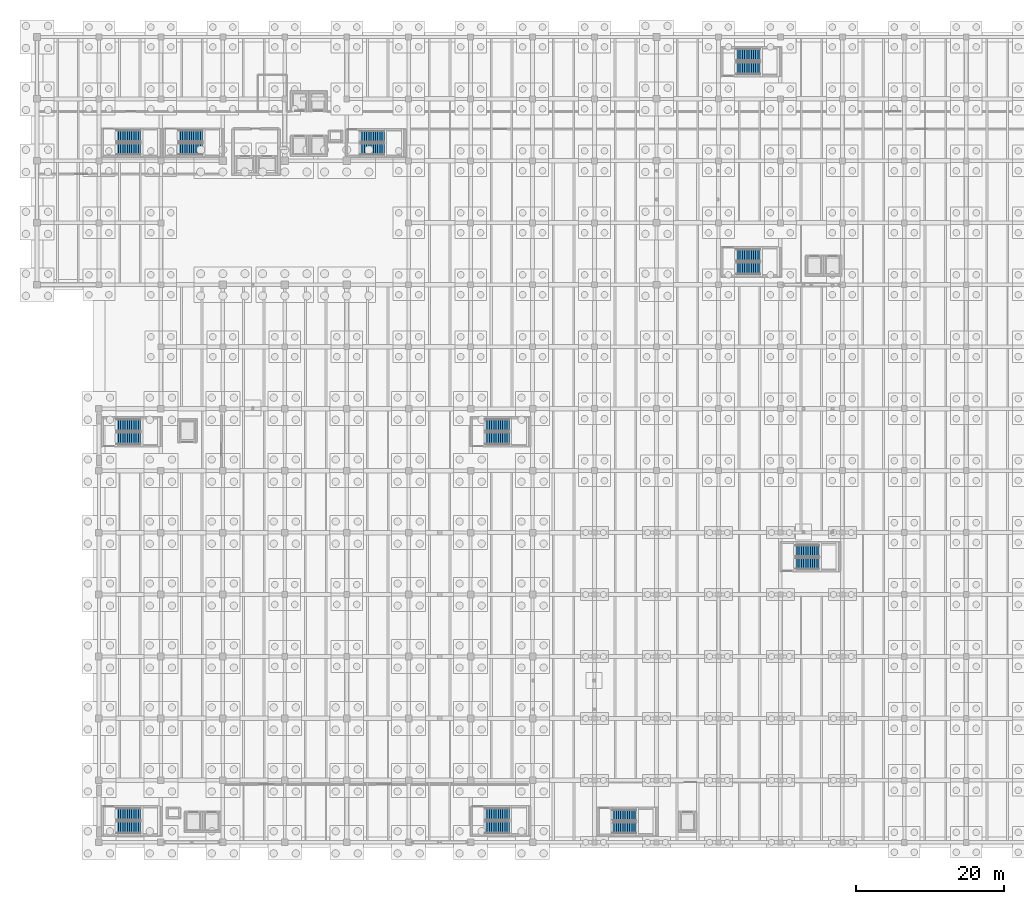
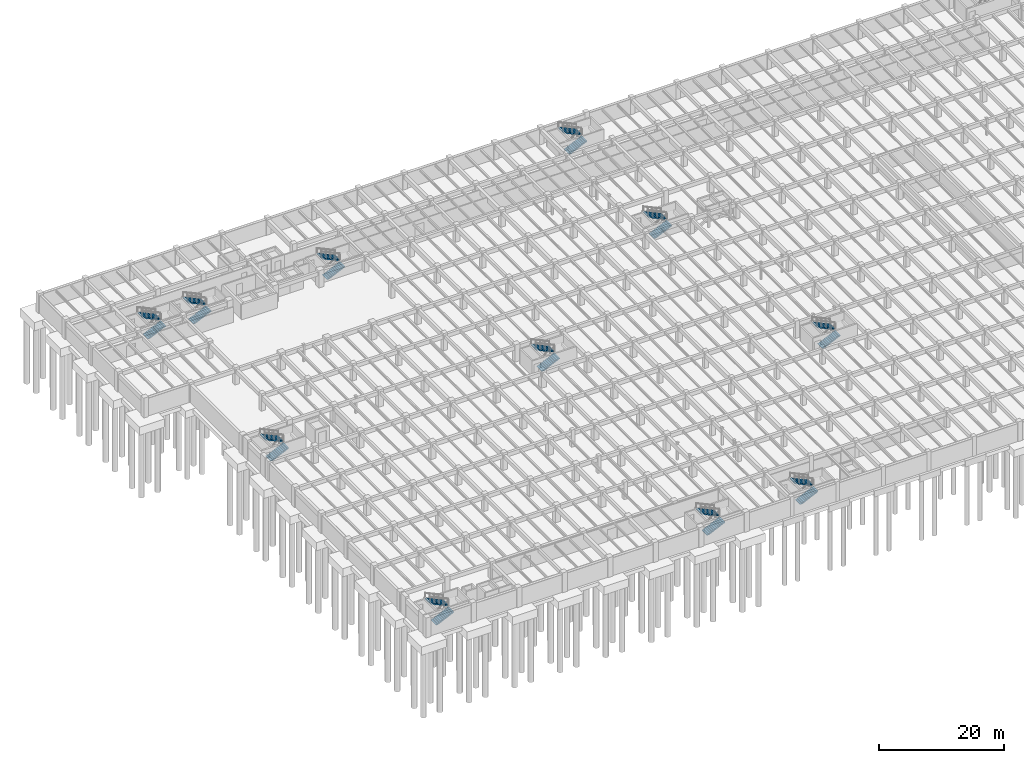
# One storey, part 53 of 70: 22 stair flights, 11 elements without a shape of their own.
"""IFC4 building model written with IfcOpenShell, lengths in metres."""

from ifc_helpers import new_model, si_unit, direction, frame, origin, place, context, subcontext, project, spatial, polyline, outline, extrude, material, type_object, element, aggregate, save


model = new_model("IFC4")

# Units and contexts
model_context = context("Model", 3, precision=1e-05, world=origin(), true_north=direction((0.0, 1.0)))
body_context = subcontext(model_context, "Body", "Model", "MODEL_VIEW")
ifc_project = project(units=[si_unit("LENGTHUNIT", "METRE"), si_unit("AREAUNIT", "SQUARE_METRE"), si_unit("VOLUMEUNIT", "CUBIC_METRE"), si_unit("PLANEANGLEUNIT", "RADIAN"), si_unit("MASSUNIT", "GRAM", prefix="KILO")], contexts=[model_context])

# Site, building, storey
site_placement = place(None, origin())
site = spatial("IfcSite", under=ifc_project, at=site_placement, CompositionType="ELEMENT")
building_placement = place(site_placement, origin())
building = spatial("IfcBuilding", under=site, at=building_placement, Name="Cumbredor Promenade Congress Hotel", CompositionType="ELEMENT")
storey_placement = place(building_placement, frame((0.0, 0.0, -7.56005859375)))
storey = spatial("IfcBuildingStorey", under=building, at=storey_placement, Name="B02", CompositionType="ELEMENT", Elevation=-7.56005859375)

# Stair, stair flights
ifc_material = material(Name="Concrete C40/50", Category="concrete")
stair_type_1 = type_object("IfcStairType", Name="Protected Dog-Leg Exit Stair ST-T1 1550mm", PredefinedType="HALF_TURN_STAIR", material=ifc_material)
stair_1_placement = place(storey_placement, origin())
stair_1 = element("IfcStair", 1, at=stair_1_placement, inside=storey, type_object=stair_type_1, Name="B02 Protected Exit Stair ST-03", PredefinedType="HALF_TURN_STAIR")
stair_flight_type_1 = type_object("IfcStairFlightType", Name="Concrete Stair Flight SFL-T1 1550mm", PredefinedType="STRAIGHT", material=ifc_material)
stair_flight_1_placement = place(storey_placement, frame((43.800048828125, 102.39501953125, 0.0), z_axis=(0.0, 0.0, 1.0), x_axis=(1.0, 0.0, 0.0)))
stair_flight_1 = element("IfcStairFlight", 2, at=stair_flight_1_placement, type_object=stair_flight_type_1, Name="ST-03 flight 1", NumberOfRisers=12, NumberOfTreads=11, PredefinedType="STRAIGHT", RiserHeight=0.14, TreadLength=0.3, context=body_context, shape_type="SweptSolid", body=[
    extrude(outline(polyline([(0.0, 0.0), (0.0, 0.139892578125), (0.300048828125, 0.139892578125), (0.300048828125, 0.280029296875), (0.60009765625, 0.280029296875), (0.60009765625, 0.419921875), (0.89990234375, 0.419921875), (0.89990234375, 0.56005859375), (1.199951171875, 0.56005859375), (1.199951171875, 0.699951171875), (1.5, 0.699951171875), (1.5, 0.840087890625), (1.800048828125, 0.840087890625), (1.800048828125, 0.97998046875), (2.10009765625, 0.97998046875), (2.10009765625, 1.1201171875), (2.39990234375, 1.1201171875), (2.39990234375, 1.260009765625), (2.699951171875, 1.260009765625), (2.699951171875, 1.39990234375), (3.0, 1.39990234375), (3.0, 1.5400390625), (3.300048828125, 1.5400390625), (3.300048828125, 1.679931640625), (3.300048828125, 1.341552734375), (0.425537109375, 0.0), (0.0, 0.0)])), frame((0.0, 0.77490234375, 0.0), z_axis=(0.0, -1.0, 0.0), x_axis=(1.0, 0.0, 0.0)), (0.0, 0.0, 1.0), 1.550048828125),
])
stair_flight_2_placement = place(storey_placement, frame((47.10009765625, 104.094970703125, 1.68017578125), z_axis=(0.0, 0.0, 1.0), x_axis=(-1.0, 0.0, 0.0)))
stair_flight_2 = element("IfcStairFlight", 3, at=stair_flight_2_placement, type_object=stair_flight_type_1, Name="ST-03 flight 2", NumberOfRisers=12, NumberOfTreads=11, PredefinedType="STRAIGHT", RiserHeight=0.14, TreadLength=0.3, context=body_context, shape_type="SweptSolid", body=[
    extrude(outline(polyline([(0.0, 0.0), (0.0, 0.139892578125), (0.300048828125, 0.139892578125), (0.300048828125, 0.280029296875), (0.60009765625, 0.280029296875), (0.60009765625, 0.419921875), (0.89990234375, 0.419921875), (0.89990234375, 0.56005859375), (1.199951171875, 0.56005859375), (1.199951171875, 0.699951171875), (1.5, 0.699951171875), (1.5, 0.840087890625), (1.800048828125, 0.840087890625), (1.800048828125, 0.97998046875), (2.10009765625, 0.97998046875), (2.10009765625, 1.1201171875), (2.39990234375, 1.1201171875), (2.39990234375, 1.260009765625), (2.699951171875, 1.260009765625), (2.699951171875, 1.39990234375), (3.0, 1.39990234375), (3.0, 1.5400390625), (3.300048828125, 1.5400390625), (3.300048828125, 1.679931640625), (3.300048828125, 1.341552734375), (0.425537109375, 0.0), (0.0, 0.0)])), frame((0.0, 0.77490234375, 0.0), z_axis=(0.0, -1.0, 0.0), x_axis=(1.0, 0.0, 0.0)), (0.0, 0.0, 1.0), 1.550048828125),
])
aggregate(stair_1, [stair_flight_1, stair_flight_2])

stair_2_placement = place(storey_placement, origin())
stair_2 = element("IfcStair", 4, at=stair_2_placement, inside=storey, type_object=stair_type_1, Name="B02 Protected Exit Stair ST-11", PredefinedType="HALF_TURN_STAIR")
stair_flight_3_placement = place(storey_placement, frame((77.949951171875, 10.375, 0.0), z_axis=(0.0, 0.0, 1.0), x_axis=(1.0, 0.0, 0.0)))
stair_flight_3 = element("IfcStairFlight", 5, at=stair_flight_3_placement, type_object=stair_flight_type_1, Name="ST-11 flight 1", NumberOfRisers=12, NumberOfTreads=11, PredefinedType="STRAIGHT", RiserHeight=0.14, TreadLength=0.3, context=body_context, shape_type="SweptSolid", body=[
    extrude(outline(polyline([(0.0, 0.0), (0.0, 0.139892578125), (0.300048828125, 0.139892578125), (0.300048828125, 0.280029296875), (0.60009765625, 0.280029296875), (0.60009765625, 0.419921875), (0.89990234375, 0.419921875), (0.89990234375, 0.56005859375), (1.199951171875, 0.56005859375), (1.199951171875, 0.699951171875), (1.5, 0.699951171875), (1.5, 0.840087890625), (1.800048828125, 0.840087890625), (1.800048828125, 0.97998046875), (2.10009765625, 0.97998046875), (2.10009765625, 1.1201171875), (2.39990234375, 1.1201171875), (2.39990234375, 1.260009765625), (2.699951171875, 1.260009765625), (2.699951171875, 1.39990234375), (3.0, 1.39990234375), (3.0, 1.5400390625), (3.300048828125, 1.5400390625), (3.300048828125, 1.679931640625), (3.300048828125, 1.341552734375), (0.425537109375, 0.0), (0.0, 0.0)])), frame((0.0, 0.77490234375, 0.0), z_axis=(0.0, -1.0, 0.0), x_axis=(1.0, 0.0, 0.0)), (0.0, 0.0, 1.0), 1.550048828125),
])
stair_flight_4_placement = place(storey_placement, frame((81.25, 12.074951171875, 1.68017578125), z_axis=(0.0, 0.0, 1.0), x_axis=(-1.0, 0.0, 0.0)))
stair_flight_4 = element("IfcStairFlight", 6, at=stair_flight_4_placement, type_object=stair_flight_type_1, Name="ST-11 flight 2", NumberOfRisers=12, NumberOfTreads=11, PredefinedType="STRAIGHT", RiserHeight=0.14, TreadLength=0.3, context=body_context, shape_type="SweptSolid", body=[
    extrude(outline(polyline([(0.0, 0.0), (0.0, 0.139892578125), (0.300048828125, 0.139892578125), (0.300048828125, 0.280029296875), (0.60009765625, 0.280029296875), (0.60009765625, 0.419921875), (0.89990234375, 0.419921875), (0.89990234375, 0.56005859375), (1.199951171875, 0.56005859375), (1.199951171875, 0.699951171875), (1.5, 0.699951171875), (1.5, 0.840087890625), (1.800048828125, 0.840087890625), (1.800048828125, 0.97998046875), (2.10009765625, 0.97998046875), (2.10009765625, 1.1201171875), (2.39990234375, 1.1201171875), (2.39990234375, 1.260009765625), (2.699951171875, 1.260009765625), (2.699951171875, 1.39990234375), (3.0, 1.39990234375), (3.0, 1.5400390625), (3.300048828125, 1.5400390625), (3.300048828125, 1.679931640625), (3.300048828125, 1.341552734375), (0.425537109375, 0.0), (0.0, 0.0)])), frame((0.0, 0.77490234375, 0.0), z_axis=(0.0, -1.0, 0.0), x_axis=(1.0, 0.0, 0.0)), (0.0, 0.0, 1.0), 1.550048828125),
])
aggregate(stair_2, [stair_flight_3, stair_flight_4])

stair_3_placement = place(storey_placement, origin())
stair_3 = element("IfcStair", 7, at=stair_3_placement, inside=storey, type_object=stair_type_1, Name="B02 Protected Exit Stair ST-12", PredefinedType="HALF_TURN_STAIR")
stair_flight_5_placement = place(storey_placement, frame((102.75, 46.22509765625, 0.0), z_axis=(0.0, 0.0, 1.0), x_axis=(1.0, 0.0, 0.0)))
stair_flight_5 = element("IfcStairFlight", 8, at=stair_flight_5_placement, type_object=stair_flight_type_1, Name="ST-12 flight 1", NumberOfRisers=12, NumberOfTreads=11, PredefinedType="STRAIGHT", RiserHeight=0.14, TreadLength=0.3, context=body_context, shape_type="SweptSolid", body=[
    extrude(outline(polyline([(0.0, 0.0), (0.0, 0.139892578125), (0.300048828125, 0.139892578125), (0.300048828125, 0.280029296875), (0.60009765625, 0.280029296875), (0.60009765625, 0.419921875), (0.89990234375, 0.419921875), (0.89990234375, 0.56005859375), (1.199951171875, 0.56005859375), (1.199951171875, 0.699951171875), (1.5, 0.699951171875), (1.5, 0.840087890625), (1.800048828125, 0.840087890625), (1.800048828125, 0.97998046875), (2.10009765625, 0.97998046875), (2.10009765625, 1.1201171875), (2.39990234375, 1.1201171875), (2.39990234375, 1.260009765625), (2.699951171875, 1.260009765625), (2.699951171875, 1.39990234375), (3.0, 1.39990234375), (3.0, 1.5400390625), (3.300048828125, 1.5400390625), (3.300048828125, 1.679931640625), (3.300048828125, 1.341552734375), (0.425537109375, 0.0), (0.0, 0.0)])), frame((0.0, 0.77490234375, 0.0), z_axis=(0.0, -1.0, 0.0), x_axis=(1.0, 0.0, 0.0)), (0.0, 0.0, 1.0), 1.550048828125),
])
stair_flight_6_placement = place(storey_placement, frame((106.050048828125, 47.925048828125, 1.68017578125), z_axis=(0.0, 0.0, 1.0), x_axis=(-1.0, 0.0, 0.0)))
stair_flight_6 = element("IfcStairFlight", 9, at=stair_flight_6_placement, type_object=stair_flight_type_1, Name="ST-12 flight 2", NumberOfRisers=12, NumberOfTreads=11, PredefinedType="STRAIGHT", RiserHeight=0.14, TreadLength=0.3, context=body_context, shape_type="SweptSolid", body=[
    extrude(outline(polyline([(0.0, 0.0), (0.0, 0.139892578125), (0.300048828125, 0.139892578125), (0.300048828125, 0.280029296875), (0.60009765625, 0.280029296875), (0.60009765625, 0.419921875), (0.89990234375, 0.419921875), (0.89990234375, 0.56005859375), (1.199951171875, 0.56005859375), (1.199951171875, 0.699951171875), (1.5, 0.699951171875), (1.5, 0.840087890625), (1.800048828125, 0.840087890625), (1.800048828125, 0.97998046875), (2.10009765625, 0.97998046875), (2.10009765625, 1.1201171875), (2.39990234375, 1.1201171875), (2.39990234375, 1.260009765625), (2.699951171875, 1.260009765625), (2.699951171875, 1.39990234375), (3.0, 1.39990234375), (3.0, 1.5400390625), (3.300048828125, 1.5400390625), (3.300048828125, 1.679931640625), (3.300048828125, 1.341552734375), (0.425537109375, 0.0), (0.0, 0.0)])), frame((0.0, 0.77490234375, 0.0), z_axis=(0.0, -1.0, 0.0), x_axis=(1.0, 0.0, 0.0)), (0.0, 0.0, 1.0), 1.550048828125),
])
aggregate(stair_3, [stair_flight_5, stair_flight_6])

stair_type_2 = type_object("IfcStairType", Name="Protected Dog-Leg Exit Stair ST-T2 1600mm", PredefinedType="HALF_TURN_STAIR", material=ifc_material)
stair_4_placement = place(storey_placement, origin())
stair_4 = element("IfcStair", 10, at=stair_4_placement, inside=storey, type_object=stair_type_2, Name="B02 Protected Exit Stair ST-01", PredefinedType="HALF_TURN_STAIR")
stair_flight_type_2 = type_object("IfcStairFlightType", Name="Concrete Stair Flight SFL-T2 1600mm", PredefinedType="STRAIGHT", material=ifc_material)
stair_flight_7_placement = place(storey_placement, frame((10.75, 102.419921875, 0.0), z_axis=(0.0, 0.0, 1.0), x_axis=(1.0, 0.0, 0.0)))
stair_flight_7 = element("IfcStairFlight", 11, at=stair_flight_7_placement, type_object=stair_flight_type_2, Name="ST-01 flight 1", NumberOfRisers=12, NumberOfTreads=11, PredefinedType="STRAIGHT", RiserHeight=0.14, TreadLength=0.3, context=body_context, shape_type="SweptSolid", body=[
    extrude(outline(polyline([(0.0, 0.0), (0.0, 0.139892578125), (0.300048828125, 0.139892578125), (0.300048828125, 0.280029296875), (0.60009765625, 0.280029296875), (0.60009765625, 0.419921875), (0.89990234375, 0.419921875), (0.89990234375, 0.56005859375), (1.199951171875, 0.56005859375), (1.199951171875, 0.699951171875), (1.5, 0.699951171875), (1.5, 0.840087890625), (1.800048828125, 0.840087890625), (1.800048828125, 0.97998046875), (2.10009765625, 0.97998046875), (2.10009765625, 1.1201171875), (2.39990234375, 1.1201171875), (2.39990234375, 1.260009765625), (2.699951171875, 1.260009765625), (2.699951171875, 1.39990234375), (3.0, 1.39990234375), (3.0, 1.5400390625), (3.300048828125, 1.5400390625), (3.300048828125, 1.679931640625), (3.300048828125, 1.341552734375), (0.425537109375, 0.0), (0.0, 0.0)])), frame((0.0, 0.800048828125, 0.0), z_axis=(0.0, -1.0, 0.0), x_axis=(1.0, 0.0, 0.0)), (0.0, 0.0, 1.0), 1.60009765625),
])
stair_flight_8_placement = place(storey_placement, frame((14.050048828125, 104.169921875, 1.68017578125), z_axis=(0.0, 0.0, 1.0), x_axis=(-1.0, 0.0, 0.0)))
stair_flight_8 = element("IfcStairFlight", 12, at=stair_flight_8_placement, type_object=stair_flight_type_2, Name="ST-01 flight 2", NumberOfRisers=12, NumberOfTreads=11, PredefinedType="STRAIGHT", RiserHeight=0.14, TreadLength=0.3, context=body_context, shape_type="SweptSolid", body=[
    extrude(outline(polyline([(0.0, 0.0), (0.0, 0.139892578125), (0.300048828125, 0.139892578125), (0.300048828125, 0.280029296875), (0.60009765625, 0.280029296875), (0.60009765625, 0.419921875), (0.89990234375, 0.419921875), (0.89990234375, 0.56005859375), (1.199951171875, 0.56005859375), (1.199951171875, 0.699951171875), (1.5, 0.699951171875), (1.5, 0.840087890625), (1.800048828125, 0.840087890625), (1.800048828125, 0.97998046875), (2.10009765625, 0.97998046875), (2.10009765625, 1.1201171875), (2.39990234375, 1.1201171875), (2.39990234375, 1.260009765625), (2.699951171875, 1.260009765625), (2.699951171875, 1.39990234375), (3.0, 1.39990234375), (3.0, 1.5400390625), (3.300048828125, 1.5400390625), (3.300048828125, 1.679931640625), (3.300048828125, 1.341552734375), (0.425537109375, 0.0), (0.0, 0.0)])), frame((0.0, 0.800048828125, 0.0), z_axis=(0.0, -1.0, 0.0), x_axis=(1.0, 0.0, 0.0)), (0.0, 0.0, 1.0), 1.60009765625),
])
aggregate(stair_4, [stair_flight_7, stair_flight_8])

stair_5_placement = place(storey_placement, origin())
stair_5 = element("IfcStair", 13, at=stair_5_placement, inside=storey, type_object=stair_type_2, Name="B02 Protected Exit Stair ST-02", PredefinedType="HALF_TURN_STAIR")
stair_flight_9_placement = place(storey_placement, frame((19.14990234375, 102.419921875, 0.0), z_axis=(0.0, 0.0, 1.0), x_axis=(1.0, 0.0, 0.0)))
stair_flight_9 = element("IfcStairFlight", 14, at=stair_flight_9_placement, type_object=stair_flight_type_2, Name="ST-02 flight 1", NumberOfRisers=12, NumberOfTreads=11, PredefinedType="STRAIGHT", RiserHeight=0.14, TreadLength=0.3, context=body_context, shape_type="SweptSolid", body=[
    extrude(outline(polyline([(0.0, 0.0), (0.0, 0.139892578125), (0.300048828125, 0.139892578125), (0.300048828125, 0.280029296875), (0.60009765625, 0.280029296875), (0.60009765625, 0.419921875), (0.89990234375, 0.419921875), (0.89990234375, 0.56005859375), (1.199951171875, 0.56005859375), (1.199951171875, 0.699951171875), (1.5, 0.699951171875), (1.5, 0.840087890625), (1.800048828125, 0.840087890625), (1.800048828125, 0.97998046875), (2.10009765625, 0.97998046875), (2.10009765625, 1.1201171875), (2.39990234375, 1.1201171875), (2.39990234375, 1.260009765625), (2.699951171875, 1.260009765625), (2.699951171875, 1.39990234375), (3.0, 1.39990234375), (3.0, 1.5400390625), (3.300048828125, 1.5400390625), (3.300048828125, 1.679931640625), (3.300048828125, 1.341552734375), (0.425537109375, 0.0), (0.0, 0.0)])), frame((0.0, 0.800048828125, 0.0), z_axis=(0.0, -1.0, 0.0), x_axis=(1.0, 0.0, 0.0)), (0.0, 0.0, 1.0), 1.60009765625),
])
stair_flight_10_placement = place(storey_placement, frame((22.449951171875, 104.169921875, 1.68017578125), z_axis=(0.0, 0.0, 1.0), x_axis=(-1.0, 0.0, 0.0)))
stair_flight_10 = element("IfcStairFlight", 15, at=stair_flight_10_placement, type_object=stair_flight_type_2, Name="ST-02 flight 2", NumberOfRisers=12, NumberOfTreads=11, PredefinedType="STRAIGHT", RiserHeight=0.14, TreadLength=0.3, context=body_context, shape_type="SweptSolid", body=[
    extrude(outline(polyline([(0.0, 0.0), (0.0, 0.139892578125), (0.300048828125, 0.139892578125), (0.300048828125, 0.280029296875), (0.60009765625, 0.280029296875), (0.60009765625, 0.419921875), (0.89990234375, 0.419921875), (0.89990234375, 0.56005859375), (1.199951171875, 0.56005859375), (1.199951171875, 0.699951171875), (1.5, 0.699951171875), (1.5, 0.840087890625), (1.800048828125, 0.840087890625), (1.800048828125, 0.97998046875), (2.10009765625, 0.97998046875), (2.10009765625, 1.1201171875), (2.39990234375, 1.1201171875), (2.39990234375, 1.260009765625), (2.699951171875, 1.260009765625), (2.699951171875, 1.39990234375), (3.0, 1.39990234375), (3.0, 1.5400390625), (3.300048828125, 1.5400390625), (3.300048828125, 1.679931640625), (3.300048828125, 1.341552734375), (0.425537109375, 0.0), (0.0, 0.0)])), frame((0.0, 0.800048828125, 0.0), z_axis=(0.0, -1.0, 0.0), x_axis=(1.0, 0.0, 0.0)), (0.0, 0.0, 1.0), 1.60009765625),
])
aggregate(stair_5, [stair_flight_9, stair_flight_10])

stair_type_3 = type_object("IfcStairType", Name="Protected Dog-Leg Exit Stair ST-T3 1650mm", PredefinedType="HALF_TURN_STAIR", material=ifc_material)
stair_6_placement = place(storey_placement, origin())
stair_6 = element("IfcStair", 16, at=stair_6_placement, inside=storey, type_object=stair_type_3, Name="B02 Protected Exit Stair ST-04", PredefinedType="HALF_TURN_STAIR")
stair_flight_type_3 = type_object("IfcStairFlightType", Name="Concrete Stair Flight SFL-T3 1650mm", PredefinedType="STRAIGHT", material=ifc_material)
stair_flight_11_placement = place(storey_placement, frame((10.75, 10.425048828125, 0.0), z_axis=(0.0, 0.0, 1.0), x_axis=(1.0, 0.0, 0.0)))
stair_flight_11 = element("IfcStairFlight", 17, at=stair_flight_11_placement, type_object=stair_flight_type_3, Name="ST-04 flight 1", NumberOfRisers=12, NumberOfTreads=11, PredefinedType="STRAIGHT", RiserHeight=0.14, TreadLength=0.3, context=body_context, shape_type="SweptSolid", body=[
    extrude(outline(polyline([(0.0, 0.0), (0.0, 0.139892578125), (0.300048828125, 0.139892578125), (0.300048828125, 0.280029296875), (0.60009765625, 0.280029296875), (0.60009765625, 0.419921875), (0.89990234375, 0.419921875), (0.89990234375, 0.56005859375), (1.199951171875, 0.56005859375), (1.199951171875, 0.699951171875), (1.5, 0.699951171875), (1.5, 0.840087890625), (1.800048828125, 0.840087890625), (1.800048828125, 0.97998046875), (2.10009765625, 0.97998046875), (2.10009765625, 1.1201171875), (2.39990234375, 1.1201171875), (2.39990234375, 1.260009765625), (2.699951171875, 1.260009765625), (2.699951171875, 1.39990234375), (3.0, 1.39990234375), (3.0, 1.5400390625), (3.300048828125, 1.5400390625), (3.300048828125, 1.679931640625), (3.300048828125, 1.341552734375), (0.425537109375, 0.0), (0.0, 0.0)])), frame((0.0, 0.824951171875, 0.0), z_axis=(0.0, -1.0, 0.0), x_axis=(1.0, 0.0, 0.0)), (0.0, 0.0, 1.0), 1.64990234375),
])
stair_flight_12_placement = place(storey_placement, frame((14.050048828125, 12.22509765625, 1.68017578125), z_axis=(0.0, 0.0, 1.0), x_axis=(-1.0, 0.0, 0.0)))
stair_flight_12 = element("IfcStairFlight", 18, at=stair_flight_12_placement, type_object=stair_flight_type_3, Name="ST-04 flight 2", NumberOfRisers=12, NumberOfTreads=11, PredefinedType="STRAIGHT", RiserHeight=0.14, TreadLength=0.3, context=body_context, shape_type="SweptSolid", body=[
    extrude(outline(polyline([(0.0, 0.0), (0.0, 0.139892578125), (0.300048828125, 0.139892578125), (0.300048828125, 0.280029296875), (0.60009765625, 0.280029296875), (0.60009765625, 0.419921875), (0.89990234375, 0.419921875), (0.89990234375, 0.56005859375), (1.199951171875, 0.56005859375), (1.199951171875, 0.699951171875), (1.5, 0.699951171875), (1.5, 0.840087890625), (1.800048828125, 0.840087890625), (1.800048828125, 0.97998046875), (2.10009765625, 0.97998046875), (2.10009765625, 1.1201171875), (2.39990234375, 1.1201171875), (2.39990234375, 1.260009765625), (2.699951171875, 1.260009765625), (2.699951171875, 1.39990234375), (3.0, 1.39990234375), (3.0, 1.5400390625), (3.300048828125, 1.5400390625), (3.300048828125, 1.679931640625), (3.300048828125, 1.341552734375), (0.425537109375, 0.0), (0.0, 0.0)])), frame((0.0, 0.824951171875, 0.0), z_axis=(0.0, -1.0, 0.0), x_axis=(1.0, 0.0, 0.0)), (0.0, 0.0, 1.0), 1.64990234375),
])
aggregate(stair_6, [stair_flight_11, stair_flight_12])

stair_7_placement = place(storey_placement, origin())
stair_7 = element("IfcStair", 19, at=stair_7_placement, inside=storey, type_object=stair_type_3, Name="B02 Protected Exit Stair ST-05", PredefinedType="HALF_TURN_STAIR")
stair_flight_13_placement = place(storey_placement, frame((60.75, 10.425048828125, 0.0), z_axis=(0.0, 0.0, 1.0), x_axis=(1.0, 0.0, 0.0)))
stair_flight_13 = element("IfcStairFlight", 20, at=stair_flight_13_placement, type_object=stair_flight_type_3, Name="ST-05 flight 1", NumberOfRisers=12, NumberOfTreads=11, PredefinedType="STRAIGHT", RiserHeight=0.14, TreadLength=0.3, context=body_context, shape_type="SweptSolid", body=[
    extrude(outline(polyline([(0.0, 0.0), (0.0, 0.139892578125), (0.300048828125, 0.139892578125), (0.300048828125, 0.280029296875), (0.60009765625, 0.280029296875), (0.60009765625, 0.419921875), (0.89990234375, 0.419921875), (0.89990234375, 0.56005859375), (1.199951171875, 0.56005859375), (1.199951171875, 0.699951171875), (1.5, 0.699951171875), (1.5, 0.840087890625), (1.800048828125, 0.840087890625), (1.800048828125, 0.97998046875), (2.10009765625, 0.97998046875), (2.10009765625, 1.1201171875), (2.39990234375, 1.1201171875), (2.39990234375, 1.260009765625), (2.699951171875, 1.260009765625), (2.699951171875, 1.39990234375), (3.0, 1.39990234375), (3.0, 1.5400390625), (3.300048828125, 1.5400390625), (3.300048828125, 1.679931640625), (3.300048828125, 1.341552734375), (0.425537109375, 0.0), (0.0, 0.0)])), frame((0.0, 0.824951171875, 0.0), z_axis=(0.0, -1.0, 0.0), x_axis=(1.0, 0.0, 0.0)), (0.0, 0.0, 1.0), 1.64990234375),
])
stair_flight_14_placement = place(storey_placement, frame((64.050048828125, 12.22509765625, 1.68017578125), z_axis=(0.0, 0.0, 1.0), x_axis=(-1.0, 0.0, 0.0)))
stair_flight_14 = element("IfcStairFlight", 21, at=stair_flight_14_placement, type_object=stair_flight_type_3, Name="ST-05 flight 2", NumberOfRisers=12, NumberOfTreads=11, PredefinedType="STRAIGHT", RiserHeight=0.14, TreadLength=0.3, context=body_context, shape_type="SweptSolid", body=[
    extrude(outline(polyline([(0.0, 0.0), (0.0, 0.139892578125), (0.300048828125, 0.139892578125), (0.300048828125, 0.280029296875), (0.60009765625, 0.280029296875), (0.60009765625, 0.419921875), (0.89990234375, 0.419921875), (0.89990234375, 0.56005859375), (1.199951171875, 0.56005859375), (1.199951171875, 0.699951171875), (1.5, 0.699951171875), (1.5, 0.840087890625), (1.800048828125, 0.840087890625), (1.800048828125, 0.97998046875), (2.10009765625, 0.97998046875), (2.10009765625, 1.1201171875), (2.39990234375, 1.1201171875), (2.39990234375, 1.260009765625), (2.699951171875, 1.260009765625), (2.699951171875, 1.39990234375), (3.0, 1.39990234375), (3.0, 1.5400390625), (3.300048828125, 1.5400390625), (3.300048828125, 1.679931640625), (3.300048828125, 1.341552734375), (0.425537109375, 0.0), (0.0, 0.0)])), frame((0.0, 0.824951171875, 0.0), z_axis=(0.0, -1.0, 0.0), x_axis=(1.0, 0.0, 0.0)), (0.0, 0.0, 1.0), 1.64990234375),
])
aggregate(stair_7, [stair_flight_13, stair_flight_14])

stair_8_placement = place(storey_placement, origin())
stair_8 = element("IfcStair", 22, at=stair_8_placement, inside=storey, type_object=stair_type_3, Name="B02 Protected Exit Stair ST-06", PredefinedType="HALF_TURN_STAIR")
stair_flight_15_placement = place(storey_placement, frame((10.75, 63.175048828125, 0.0), z_axis=(0.0, 0.0, 1.0), x_axis=(1.0, 0.0, 0.0)))
stair_flight_15 = element("IfcStairFlight", 23, at=stair_flight_15_placement, type_object=stair_flight_type_3, Name="ST-06 flight 1", NumberOfRisers=12, NumberOfTreads=11, PredefinedType="STRAIGHT", RiserHeight=0.14, TreadLength=0.3, context=body_context, shape_type="SweptSolid", body=[
    extrude(outline(polyline([(0.0, 0.0), (0.0, 0.139892578125), (0.300048828125, 0.139892578125), (0.300048828125, 0.280029296875), (0.60009765625, 0.280029296875), (0.60009765625, 0.419921875), (0.89990234375, 0.419921875), (0.89990234375, 0.56005859375), (1.199951171875, 0.56005859375), (1.199951171875, 0.699951171875), (1.5, 0.699951171875), (1.5, 0.840087890625), (1.800048828125, 0.840087890625), (1.800048828125, 0.97998046875), (2.10009765625, 0.97998046875), (2.10009765625, 1.1201171875), (2.39990234375, 1.1201171875), (2.39990234375, 1.260009765625), (2.699951171875, 1.260009765625), (2.699951171875, 1.39990234375), (3.0, 1.39990234375), (3.0, 1.5400390625), (3.300048828125, 1.5400390625), (3.300048828125, 1.679931640625), (3.300048828125, 1.341552734375), (0.425537109375, 0.0), (0.0, 0.0)])), frame((0.0, 0.824951171875, 0.0), z_axis=(0.0, -1.0, 0.0), x_axis=(1.0, 0.0, 0.0)), (0.0, 0.0, 1.0), 1.64990234375),
])
stair_flight_16_placement = place(storey_placement, frame((14.050048828125, 64.97509765625, 1.68017578125), z_axis=(0.0, 0.0, 1.0), x_axis=(-1.0, 0.0, 0.0)))
stair_flight_16 = element("IfcStairFlight", 24, at=stair_flight_16_placement, type_object=stair_flight_type_3, Name="ST-06 flight 2", NumberOfRisers=12, NumberOfTreads=11, PredefinedType="STRAIGHT", RiserHeight=0.14, TreadLength=0.3, context=body_context, shape_type="SweptSolid", body=[
    extrude(outline(polyline([(0.0, 0.0), (0.0, 0.139892578125), (0.300048828125, 0.139892578125), (0.300048828125, 0.280029296875), (0.60009765625, 0.280029296875), (0.60009765625, 0.419921875), (0.89990234375, 0.419921875), (0.89990234375, 0.56005859375), (1.199951171875, 0.56005859375), (1.199951171875, 0.699951171875), (1.5, 0.699951171875), (1.5, 0.840087890625), (1.800048828125, 0.840087890625), (1.800048828125, 0.97998046875), (2.10009765625, 0.97998046875), (2.10009765625, 1.1201171875), (2.39990234375, 1.1201171875), (2.39990234375, 1.260009765625), (2.699951171875, 1.260009765625), (2.699951171875, 1.39990234375), (3.0, 1.39990234375), (3.0, 1.5400390625), (3.300048828125, 1.5400390625), (3.300048828125, 1.679931640625), (3.300048828125, 1.341552734375), (0.425537109375, 0.0), (0.0, 0.0)])), frame((0.0, 0.824951171875, 0.0), z_axis=(0.0, -1.0, 0.0), x_axis=(1.0, 0.0, 0.0)), (0.0, 0.0, 1.0), 1.64990234375),
])
aggregate(stair_8, [stair_flight_15, stair_flight_16])

stair_9_placement = place(storey_placement, origin())
stair_9 = element("IfcStair", 25, at=stair_9_placement, inside=storey, type_object=stair_type_3, Name="B02 Protected Exit Stair ST-07", PredefinedType="HALF_TURN_STAIR")
stair_flight_17_placement = place(storey_placement, frame((60.75, 63.175048828125, 0.0), z_axis=(0.0, 0.0, 1.0), x_axis=(1.0, 0.0, 0.0)))
stair_flight_17 = element("IfcStairFlight", 26, at=stair_flight_17_placement, type_object=stair_flight_type_3, Name="ST-07 flight 1", NumberOfRisers=12, NumberOfTreads=11, PredefinedType="STRAIGHT", RiserHeight=0.14, TreadLength=0.3, context=body_context, shape_type="SweptSolid", body=[
    extrude(outline(polyline([(0.0, 0.0), (0.0, 0.139892578125), (0.300048828125, 0.139892578125), (0.300048828125, 0.280029296875), (0.60009765625, 0.280029296875), (0.60009765625, 0.419921875), (0.89990234375, 0.419921875), (0.89990234375, 0.56005859375), (1.199951171875, 0.56005859375), (1.199951171875, 0.699951171875), (1.5, 0.699951171875), (1.5, 0.840087890625), (1.800048828125, 0.840087890625), (1.800048828125, 0.97998046875), (2.10009765625, 0.97998046875), (2.10009765625, 1.1201171875), (2.39990234375, 1.1201171875), (2.39990234375, 1.260009765625), (2.699951171875, 1.260009765625), (2.699951171875, 1.39990234375), (3.0, 1.39990234375), (3.0, 1.5400390625), (3.300048828125, 1.5400390625), (3.300048828125, 1.679931640625), (3.300048828125, 1.341552734375), (0.425537109375, 0.0), (0.0, 0.0)])), frame((0.0, 0.824951171875, 0.0), z_axis=(0.0, -1.0, 0.0), x_axis=(1.0, 0.0, 0.0)), (0.0, 0.0, 1.0), 1.64990234375),
])
stair_flight_18_placement = place(storey_placement, frame((64.050048828125, 64.97509765625, 1.68017578125), z_axis=(0.0, 0.0, 1.0), x_axis=(-1.0, 0.0, 0.0)))
stair_flight_18 = element("IfcStairFlight", 27, at=stair_flight_18_placement, type_object=stair_flight_type_3, Name="ST-07 flight 2", NumberOfRisers=12, NumberOfTreads=11, PredefinedType="STRAIGHT", RiserHeight=0.14, TreadLength=0.3, context=body_context, shape_type="SweptSolid", body=[
    extrude(outline(polyline([(0.0, 0.0), (0.0, 0.139892578125), (0.300048828125, 0.139892578125), (0.300048828125, 0.280029296875), (0.60009765625, 0.280029296875), (0.60009765625, 0.419921875), (0.89990234375, 0.419921875), (0.89990234375, 0.56005859375), (1.199951171875, 0.56005859375), (1.199951171875, 0.699951171875), (1.5, 0.699951171875), (1.5, 0.840087890625), (1.800048828125, 0.840087890625), (1.800048828125, 0.97998046875), (2.10009765625, 0.97998046875), (2.10009765625, 1.1201171875), (2.39990234375, 1.1201171875), (2.39990234375, 1.260009765625), (2.699951171875, 1.260009765625), (2.699951171875, 1.39990234375), (3.0, 1.39990234375), (3.0, 1.5400390625), (3.300048828125, 1.5400390625), (3.300048828125, 1.679931640625), (3.300048828125, 1.341552734375), (0.425537109375, 0.0), (0.0, 0.0)])), frame((0.0, 0.824951171875, 0.0), z_axis=(0.0, -1.0, 0.0), x_axis=(1.0, 0.0, 0.0)), (0.0, 0.0, 1.0), 1.64990234375),
])
aggregate(stair_9, [stair_flight_17, stair_flight_18])

stair_10_placement = place(storey_placement, origin())
stair_10 = element("IfcStair", 28, at=stair_10_placement, inside=storey, type_object=stair_type_3, Name="B02 Protected Exit Stair ST-13", PredefinedType="HALF_TURN_STAIR")
stair_flight_19_placement = place(storey_placement, frame((94.75, 86.22509765625, 0.0), z_axis=(0.0, 0.0, 1.0), x_axis=(1.0, 0.0, 0.0)))
stair_flight_19 = element("IfcStairFlight", 29, at=stair_flight_19_placement, type_object=stair_flight_type_3, Name="ST-13 flight 1", NumberOfRisers=12, NumberOfTreads=11, PredefinedType="STRAIGHT", RiserHeight=0.14, TreadLength=0.3, context=body_context, shape_type="SweptSolid", body=[
    extrude(outline(polyline([(0.0, 0.0), (0.0, 0.139892578125), (0.300048828125, 0.139892578125), (0.300048828125, 0.280029296875), (0.60009765625, 0.280029296875), (0.60009765625, 0.419921875), (0.89990234375, 0.419921875), (0.89990234375, 0.56005859375), (1.199951171875, 0.56005859375), (1.199951171875, 0.699951171875), (1.5, 0.699951171875), (1.5, 0.840087890625), (1.800048828125, 0.840087890625), (1.800048828125, 0.97998046875), (2.10009765625, 0.97998046875), (2.10009765625, 1.1201171875), (2.39990234375, 1.1201171875), (2.39990234375, 1.260009765625), (2.699951171875, 1.260009765625), (2.699951171875, 1.39990234375), (3.0, 1.39990234375), (3.0, 1.5400390625), (3.300048828125, 1.5400390625), (3.300048828125, 1.679931640625), (3.300048828125, 1.341552734375), (0.425537109375, 0.0), (0.0, 0.0)])), frame((0.0, 0.824951171875, 0.0), z_axis=(0.0, -1.0, 0.0), x_axis=(1.0, 0.0, 0.0)), (0.0, 0.0, 1.0), 1.64990234375),
])
stair_flight_20_placement = place(storey_placement, frame((98.050048828125, 88.02490234375, 1.68017578125), z_axis=(0.0, 0.0, 1.0), x_axis=(-1.0, 0.0, 0.0)))
stair_flight_20 = element("IfcStairFlight", 30, at=stair_flight_20_placement, type_object=stair_flight_type_3, Name="ST-13 flight 2", NumberOfRisers=12, NumberOfTreads=11, PredefinedType="STRAIGHT", RiserHeight=0.14, TreadLength=0.3, context=body_context, shape_type="SweptSolid", body=[
    extrude(outline(polyline([(0.0, 0.0), (0.0, 0.139892578125), (0.300048828125, 0.139892578125), (0.300048828125, 0.280029296875), (0.60009765625, 0.280029296875), (0.60009765625, 0.419921875), (0.89990234375, 0.419921875), (0.89990234375, 0.56005859375), (1.199951171875, 0.56005859375), (1.199951171875, 0.699951171875), (1.5, 0.699951171875), (1.5, 0.840087890625), (1.800048828125, 0.840087890625), (1.800048828125, 0.97998046875), (2.10009765625, 0.97998046875), (2.10009765625, 1.1201171875), (2.39990234375, 1.1201171875), (2.39990234375, 1.260009765625), (2.699951171875, 1.260009765625), (2.699951171875, 1.39990234375), (3.0, 1.39990234375), (3.0, 1.5400390625), (3.300048828125, 1.5400390625), (3.300048828125, 1.679931640625), (3.300048828125, 1.341552734375), (0.425537109375, 0.0), (0.0, 0.0)])), frame((0.0, 0.824951171875, 0.0), z_axis=(0.0, -1.0, 0.0), x_axis=(1.0, 0.0, 0.0)), (0.0, 0.0, 1.0), 1.64990234375),
])
aggregate(stair_10, [stair_flight_19, stair_flight_20])

stair_11_placement = place(storey_placement, origin())
stair_11 = element("IfcStair", 31, at=stair_11_placement, inside=storey, type_object=stair_type_3, Name="B02 Protected Exit Stair ST-15", PredefinedType="HALF_TURN_STAIR")
stair_flight_21_placement = place(storey_placement, frame((94.75, 113.375, 0.0), z_axis=(0.0, 0.0, 1.0), x_axis=(1.0, 0.0, 0.0)))
stair_flight_21 = element("IfcStairFlight", 32, at=stair_flight_21_placement, type_object=stair_flight_type_3, Name="ST-15 flight 1", NumberOfRisers=12, NumberOfTreads=11, PredefinedType="STRAIGHT", RiserHeight=0.14, TreadLength=0.3, context=body_context, shape_type="SweptSolid", body=[
    extrude(outline(polyline([(0.0, 0.0), (0.0, 0.139892578125), (0.300048828125, 0.139892578125), (0.300048828125, 0.280029296875), (0.60009765625, 0.280029296875), (0.60009765625, 0.419921875), (0.89990234375, 0.419921875), (0.89990234375, 0.56005859375), (1.199951171875, 0.56005859375), (1.199951171875, 0.699951171875), (1.5, 0.699951171875), (1.5, 0.840087890625), (1.800048828125, 0.840087890625), (1.800048828125, 0.97998046875), (2.10009765625, 0.97998046875), (2.10009765625, 1.1201171875), (2.39990234375, 1.1201171875), (2.39990234375, 1.260009765625), (2.699951171875, 1.260009765625), (2.699951171875, 1.39990234375), (3.0, 1.39990234375), (3.0, 1.5400390625), (3.300048828125, 1.5400390625), (3.300048828125, 1.679931640625), (3.300048828125, 1.341552734375), (0.425537109375, 0.0), (0.0, 0.0)])), frame((0.0, 0.824951171875, 0.0), z_axis=(0.0, -1.0, 0.0), x_axis=(1.0, 0.0, 0.0)), (0.0, 0.0, 1.0), 1.64990234375),
])
stair_flight_22_placement = place(storey_placement, frame((98.050048828125, 115.175048828125, 1.68017578125), z_axis=(0.0, 0.0, 1.0), x_axis=(-1.0, 0.0, 0.0)))
stair_flight_22 = element("IfcStairFlight", 33, at=stair_flight_22_placement, type_object=stair_flight_type_3, Name="ST-15 flight 2", NumberOfRisers=12, NumberOfTreads=11, PredefinedType="STRAIGHT", RiserHeight=0.14, TreadLength=0.3, context=body_context, shape_type="SweptSolid", body=[
    extrude(outline(polyline([(0.0, 0.0), (0.0, 0.139892578125), (0.300048828125, 0.139892578125), (0.300048828125, 0.280029296875), (0.60009765625, 0.280029296875), (0.60009765625, 0.419921875), (0.89990234375, 0.419921875), (0.89990234375, 0.56005859375), (1.199951171875, 0.56005859375), (1.199951171875, 0.699951171875), (1.5, 0.699951171875), (1.5, 0.840087890625), (1.800048828125, 0.840087890625), (1.800048828125, 0.97998046875), (2.10009765625, 0.97998046875), (2.10009765625, 1.1201171875), (2.39990234375, 1.1201171875), (2.39990234375, 1.260009765625), (2.699951171875, 1.260009765625), (2.699951171875, 1.39990234375), (3.0, 1.39990234375), (3.0, 1.5400390625), (3.300048828125, 1.5400390625), (3.300048828125, 1.679931640625), (3.300048828125, 1.341552734375), (0.425537109375, 0.0), (0.0, 0.0)])), frame((0.0, 0.824951171875, 0.0), z_axis=(0.0, -1.0, 0.0), x_axis=(1.0, 0.0, 0.0)), (0.0, 0.0, 1.0), 1.64990234375),
])
aggregate(stair_11, [stair_flight_21, stair_flight_22])

save(model, "model.ifc")
